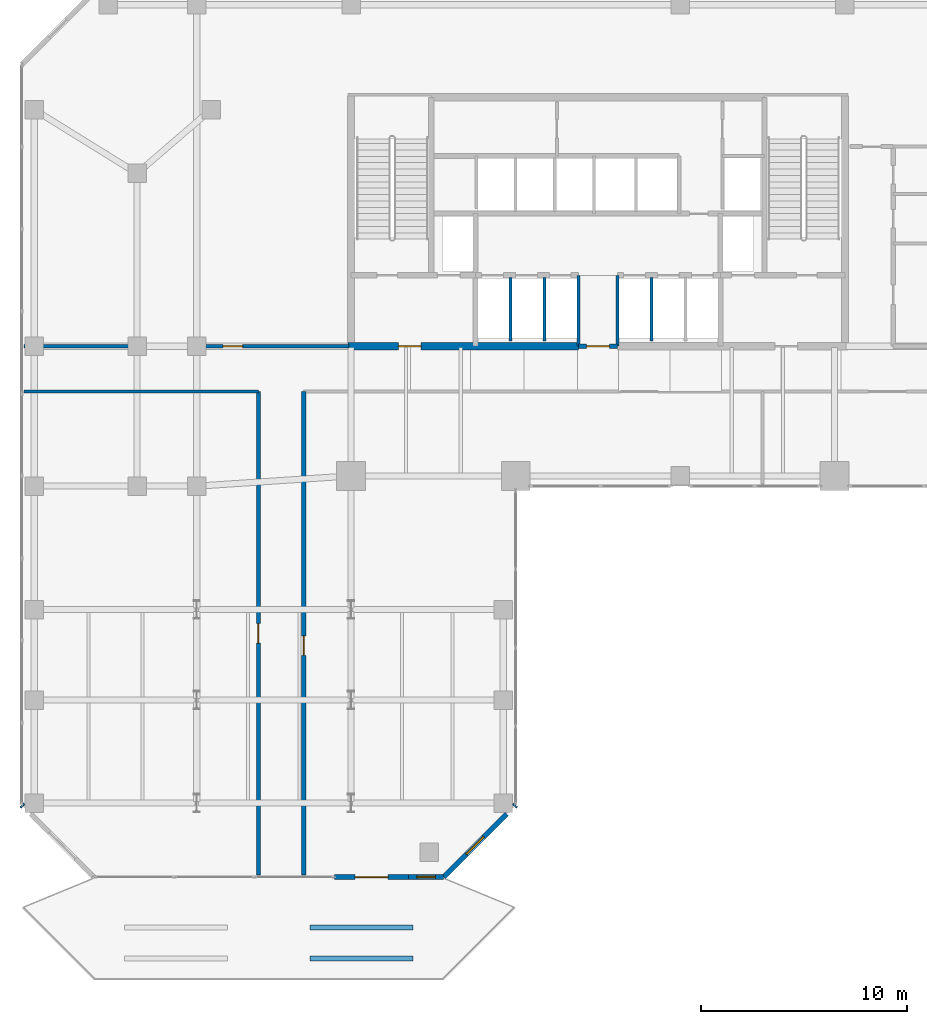
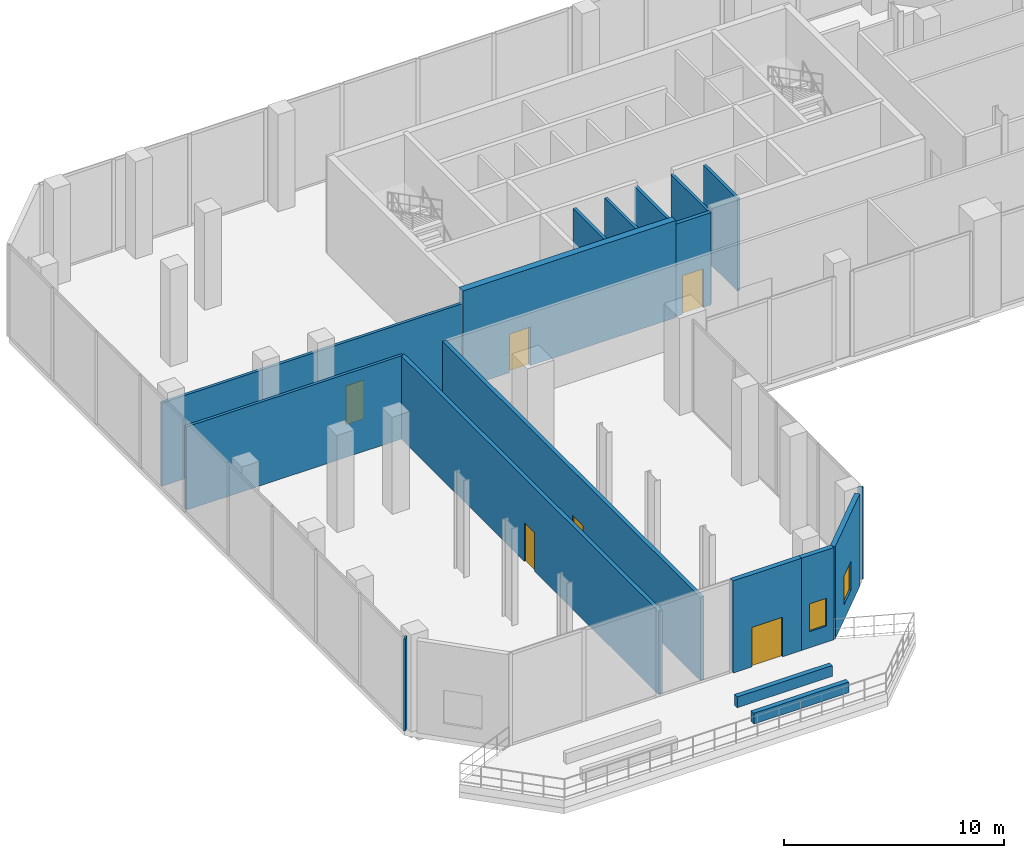
# One storey, part 20 of 24: 18 walls, 6 doors, 2 windows, 8 openings.
"""IFC4 building model written with IfcOpenShell, lengths in metres."""

from ifc_helpers import new_model, si_unit, direction, frame, frame_2d, origin, place, context, subcontext, project, spatial, rectangle, extrude, material, layer, layer_set, type_object, element, fill, save


model = new_model("IFC4")

# Units and contexts
model_context = context("Model", 3, precision=1e-05, world=origin(), true_north=direction((0.0, 1.0)))
body_context = subcontext(model_context, "Body", "Model", "MODEL_VIEW")
ifc_project = project(units=[si_unit("LENGTHUNIT", "METRE"), si_unit("AREAUNIT", "SQUARE_METRE"), si_unit("VOLUMEUNIT", "CUBIC_METRE"), si_unit("PLANEANGLEUNIT", "RADIAN"), si_unit("MASSUNIT", "GRAM", prefix="KILO")], contexts=[model_context])

# Site, building, storey
site_placement = place(None, origin())
site = spatial("IfcSite", under=ifc_project, at=site_placement, CompositionType="ELEMENT")
building_placement = place(site_placement, origin())
building = spatial("IfcBuilding", under=site, at=building_placement, Name="Catumbela Crestline Tower", CompositionType="ELEMENT")
storey_placement = place(building_placement, frame((0.0, 0.0, 84.6)))
storey = spatial("IfcBuildingStorey", under=building, at=storey_placement, Name="L21", CompositionType="ELEMENT", Elevation=84.6)

# Wall, opening, door
ifc_material_1 = material(Name="Concrete C50/60", Category="concrete")
ifc_layer_1 = layer(ifc_material_1, 0.35, Name="Concrete C50/60")
ifc_layer_set_1 = layer_set([ifc_layer_1], Name="Concrete C50/60")
wall_type_1 = type_object("IfcWallType", Name="CW-350B", PredefinedType="SHEAR", material=ifc_layer_set_1)
wall_1_placement = place(storey_placement, frame((15.85, 30.8, 0.0), z_axis=(0.0, 0.0, 1.0), x_axis=(1.0, 0.0, 0.0)))
wall_1 = element("IfcWall", 1, at=wall_1_placement, inside=storey, type_object=wall_type_1, Name="L21 Structural Core Shear Wall SW", PredefinedType="SHEAR", context=body_context, shape_type="SweptSolid", body=[
    extrude(rectangle(XDim=11.2, YDim=0.35, at=frame_2d((5.6, 0.0))), origin(), (0.0, 0.0, 1.0), 5.4),
])
opening_1_placement = place(wall_1_placement, frame((2.45, 0.0, 0.0)))
opening_1 = element("IfcOpeningElement", 2, at=opening_1_placement, cuts=wall_1, Name="Opening DF9-110", PredefinedType="OPENING", context=body_context, shape_type="SweptSolid", body=[
    extrude(rectangle(XDim=1.1, YDim=2.15, at=frame_2d((0.55, 1.075))), frame((0.0, 0.185, 0.0), z_axis=(0.0, -1.0, 0.0), x_axis=(1.0, 0.0, 0.0)), (0.0, 0.0, 1.0), 0.37),
])
ifc_material_2 = material(Name="Stainless steel EN 1.4401", Category="steel")
door_type_1 = type_object("IfcDoorType", Name="DF9-110", OperationType="NOTDEFINED", PredefinedType="DOOR", material=ifc_material_2)
door_1_placement = place(opening_1_placement, origin())
door_1 = element("IfcDoor", 3, at=door_1_placement, inside=storey, type_object=door_type_1, Name="L21 Interior Door DR-L21-FFW-S", OperationType="SINGLE_SWING_LEFT", OverallHeight=2.15, OverallWidth=1.1, PredefinedType="DOOR", context=body_context, shape_type="SweptSolid", body=[
    extrude(rectangle(XDim=1.1, YDim=2.15, at=frame_2d((0.55, 1.075))), frame((0.0, 0.025, 0.0), z_axis=(0.0, -1.0, 0.0), x_axis=(1.0, 0.0, 0.0)), (0.0, 0.0, 1.0), 0.05),
])
fill(opening_1, door_1)

ifc_material_3 = material(Name="Acoustic gypsum and mineral-wool partition")
ifc_layer_2 = layer(ifc_material_3, 0.2, Name="Acoustic gypsum and mineral-wool partition")
ifc_layer_set_2 = layer_set([ifc_layer_2], Name="Acoustic gypsum and mineral-wool partition")
wall_type_2 = type_object("IfcWallType", Name="WC-200", PredefinedType="PARTITIONING", material=ifc_layer_set_2)
wall_2_placement = place(storey_placement, frame((27.05, 30.8, 0.0), z_axis=(0.0, 0.0, 1.0), x_axis=(1.0, 0.0, 0.0)))
wall_2 = element("IfcWall", 4, at=wall_2_placement, inside=storey, type_object=wall_type_2, Name="L21 Interior Partition PW-L21-CLOBS", PredefinedType="PARTITIONING", context=body_context, shape_type="SweptSolid", body=[
    extrude(rectangle(XDim=1.9, YDim=0.2, at=frame_2d((0.95, 0.0))), origin(), (0.0, 0.0, 1.0), 5.13),
])
opening_2_placement = place(wall_2_placement, frame((0.4, 0.0, 0.0)))
opening_2 = element("IfcOpeningElement", 5, at=opening_2_placement, cuts=wall_2, Name="Opening DF9-110", PredefinedType="OPENING", context=body_context, shape_type="SweptSolid", body=[
    extrude(rectangle(XDim=1.1, YDim=2.15, at=frame_2d((0.55, 1.075))), frame((0.0, 0.11, 0.0), z_axis=(0.0, -1.0, 0.0), x_axis=(1.0, 0.0, 0.0)), (0.0, 0.0, 1.0), 0.22),
])
door_2_placement = place(opening_2_placement, origin())
door_2 = element("IfcDoor", 6, at=door_2_placement, inside=storey, type_object=door_type_1, Name="L21 Interior Door DR-L21-CLOBS", OperationType="SINGLE_SWING_LEFT", OverallHeight=2.15, OverallWidth=1.1, PredefinedType="DOOR", context=body_context, shape_type="SweptSolid", body=[
    extrude(rectangle(XDim=1.1, YDim=2.15, at=frame_2d((0.55, 1.075))), frame((0.0, 0.025, 0.0), z_axis=(0.0, -1.0, 0.0), x_axis=(1.0, 0.0, 0.0)), (0.0, 0.0, 1.0), 0.05),
])
fill(opening_2, door_2)

wall_3_placement = place(storey_placement, frame((11.5, 5.1, 0.0), z_axis=(0.0, 0.0, 1.0), x_axis=(0.0, 1.0, 0.0)))
wall_3 = element("IfcWall", 7, at=wall_3_placement, inside=storey, type_object=wall_type_2, Name="L21 Interior Partition PW-L21-SKCLB-ENT", PredefinedType="PARTITIONING", context=body_context, shape_type="SweptSolid", body=[
    extrude(rectangle(XDim=23.5, YDim=0.2, at=frame_2d((11.75, 0.0))), origin(), (0.0, 0.0, 1.0), 4.63),
])
opening_3_placement = place(wall_3_placement, frame((11.275, 0.0, 0.0)))
opening_3 = element("IfcOpeningElement", 8, at=opening_3_placement, cuts=wall_3, Name="Opening DF6-095", PredefinedType="OPENING", context=body_context, shape_type="SweptSolid", body=[
    extrude(rectangle(XDim=0.95, YDim=2.15, at=frame_2d((0.475, 1.075))), frame((0.0, 0.11, 0.0), z_axis=(0.0, -1.0, 0.0), x_axis=(1.0, 0.0, 0.0)), (0.0, 0.0, 1.0), 0.22),
])
ifc_material_4 = material(Name="Aluminium alloy AW-6060-T66", Category="aluminium")
door_type_2 = type_object("IfcDoorType", Name="DF6-095", OperationType="NOTDEFINED", PredefinedType="DOOR", material=ifc_material_4)
door_3_placement = place(opening_3_placement, origin())
door_3 = element("IfcDoor", 9, at=door_3_placement, inside=storey, type_object=door_type_2, Name="L21 Interior Door DR-L21-SKCLB-ENT", OperationType="SINGLE_SWING_RIGHT", OverallHeight=2.15, OverallWidth=0.95, PredefinedType="DOOR", context=body_context, shape_type="SweptSolid", body=[
    extrude(rectangle(XDim=0.95, YDim=2.15, at=frame_2d((0.475, 1.075))), frame((0.0, 0.025, 0.0), z_axis=(0.0, -1.0, 0.0), x_axis=(1.0, 0.0, 0.0)), (0.0, 0.0, 1.0), 0.05),
])
fill(opening_3, door_3)

wall_4_placement = place(storey_placement, frame((13.7, 5.1, 0.0), z_axis=(0.0, 0.0, 1.0), x_axis=(0.0, 1.0, 0.0)))
wall_4 = element("IfcWall", 10, at=wall_4_placement, inside=storey, type_object=wall_type_2, Name="L21 Interior Partition PW-L21-SKLIB-ENT", PredefinedType="PARTITIONING", context=body_context, shape_type="SweptSolid", body=[
    extrude(rectangle(XDim=23.5, YDim=0.2, at=frame_2d((11.75, 0.0))), origin(), (0.0, 0.0, 1.0), 4.63),
])
opening_4_placement = place(wall_4_placement, frame((10.6731, 0.0, 0.0)))
opening_4 = element("IfcOpeningElement", 11, at=opening_4_placement, cuts=wall_4, Name="Opening DF6-095", PredefinedType="OPENING", context=body_context, shape_type="SweptSolid", body=[
    extrude(rectangle(XDim=0.95, YDim=2.15, at=frame_2d((0.475, 1.075))), frame((0.0, 0.11, 0.0), z_axis=(0.0, -1.0, 0.0), x_axis=(1.0, 0.0, 0.0)), (0.0, 0.0, 1.0), 0.22),
])
door_4_placement = place(opening_4_placement, origin())
door_4 = element("IfcDoor", 12, at=door_4_placement, inside=storey, type_object=door_type_2, Name="L21 Interior Door DR-L21-SKLIB-ENT", OperationType="SINGLE_SWING_RIGHT", OverallHeight=2.15, OverallWidth=0.95, PredefinedType="DOOR", context=body_context, shape_type="SweptSolid", body=[
    extrude(rectangle(XDim=0.95, YDim=2.15, at=frame_2d((0.475, 1.075))), frame((0.0, 0.025, 0.0), z_axis=(0.0, -1.0, 0.0), x_axis=(1.0, 0.0, 0.0)), (0.0, 0.0, 1.0), 0.05),
])
fill(opening_4, door_4)

ifc_material_5 = material(Name="Angolan grey-ochre granite", Category="masonry")
ifc_layer_3 = layer(ifc_material_5, 0.25, Name="Angolan grey-ochre granite")
ifc_layer_set_3 = layer_set([ifc_layer_3], Name="Angolan grey-ochre granite")
wall_type_3 = type_object("IfcWallType", Name="WE-250", PredefinedType="STANDARD", material=ifc_layer_set_3)
wall_5_placement = place(storey_placement, frame((15.2, 5.0, 0.0), z_axis=(0.0, 0.0, 1.0), x_axis=(1.0, 0.0, 0.0)))
wall_5 = element("IfcWall", 13, at=wall_5_placement, inside=storey, type_object=wall_type_3, Name="L21 Exterior Threshold Portal Wall DR-L21-TER-S", PredefinedType="STANDARD", context=body_context, shape_type="SweptSolid", body=[
    extrude(rectangle(XDim=3.6, YDim=0.25, at=frame_2d((1.8, 0.0))), origin(), (0.0, 0.0, 1.0), 5.13),
])
opening_5_placement = place(wall_5_placement, frame((1.0, 0.0, 0.0)))
opening_5 = element("IfcOpeningElement", 14, at=opening_5_placement, cuts=wall_5, Name="Opening DT-03", PredefinedType="OPENING", context=body_context, shape_type="SweptSolid", body=[
    extrude(rectangle(XDim=1.6, YDim=2.2, at=frame_2d((0.8, 1.1))), frame((0.0, 0.135, 0.0), z_axis=(0.0, -1.0, 0.0), x_axis=(1.0, 0.0, 0.0)), (0.0, 0.0, 1.0), 0.27),
])
door_type_3 = type_object("IfcDoorType", Name="DT-1600", OperationType="NOTDEFINED", PredefinedType="DOOR", material=ifc_material_4)
door_5_placement = place(opening_5_placement, origin())
door_5 = element("IfcDoor", 15, at=door_5_placement, inside=storey, type_object=door_type_3, Name="L21 South Sky-Garden Terrace Door", OperationType="DOUBLE_DOOR_SINGLE_SWING", OverallHeight=2.2, OverallWidth=1.6, PredefinedType="DOOR", context=body_context, shape_type="SweptSolid", body=[
    extrude(rectangle(XDim=1.6, YDim=2.2, at=frame_2d((0.8, 1.1))), frame((0.0, 0.025, 0.0), z_axis=(0.0, -1.0, 0.0), x_axis=(1.0, 0.0, 0.0)), (0.0, 0.0, 1.0), 0.05),
])
fill(opening_5, door_5)

# Wall, opening, window
wall_6_placement = place(storey_placement, frame((18.8, 5.0, 0.0), z_axis=(0.0, 0.0, 1.0), x_axis=(1.0, 0.0, 0.0)))
wall_6 = element("IfcWall", 16, at=wall_6_placement, inside=storey, type_object=wall_type_3, Name="L21 Granite Punched Window Wall 0-2", PredefinedType="STANDARD", context=body_context, shape_type="SweptSolid", body=[
    extrude(rectangle(XDim=1.7, YDim=0.25, at=frame_2d((0.85, 0.0))), origin(), (0.0, 0.0, 1.0), 5.13),
])
opening_6_placement = place(wall_6_placement, frame((0.4, 0.0, 0.9)))
opening_6 = element("IfcOpeningElement", 17, at=opening_6_placement, cuts=wall_6, Name="Opening WN-03", PredefinedType="OPENING", context=body_context, shape_type="SweptSolid", body=[
    extrude(rectangle(XDim=0.9, YDim=1.55, at=frame_2d((0.45, 0.775))), frame((0.0, 0.135, 0.0), z_axis=(0.0, -1.0, 0.0), x_axis=(1.0, 0.0, 0.0)), (0.0, 0.0, 1.0), 0.27),
])
ifc_material_6 = material(Name="Low-E laminated solar-control double glazing", Category="glass")
window_type_1 = type_object("IfcWindowType", Name="WO-0900", PartitioningType="SINGLE_PANEL", PredefinedType="WINDOW", material=ifc_material_6)
window_1_placement = place(opening_6_placement, origin())
window_1 = element("IfcWindow", 18, at=window_1_placement, inside=storey, type_object=window_type_1, Name="L21 Facade Vision Window 123", OverallHeight=1.55, OverallWidth=0.9, PartitioningType="SINGLE_PANEL", PredefinedType="WINDOW", context=body_context, shape_type="SweptSolid", body=[
    extrude(rectangle(XDim=0.9, YDim=1.55, at=frame_2d((0.45, 0.775))), frame((0.0, 0.03, 0.0), z_axis=(0.0, -1.0, 0.0), x_axis=(1.0, 0.0, 0.0)), (0.0, 0.0, 1.0), 0.06),
])
fill(opening_6, window_1)

wall_7_placement = place(storey_placement, frame((20.5, 5.0, 0.0), z_axis=(0.0, 0.0, 1.0), x_axis=(0.707106781187, 0.707106781187, 0.0)))
wall_7 = element("IfcWall", 19, at=wall_7_placement, inside=storey, type_object=wall_type_3, Name="L21 Granite Punched Window Wall 1-1", PredefinedType="STANDARD", context=body_context, shape_type="SweptSolid", body=[
    extrude(rectangle(XDim=4.3298, YDim=0.25, at=frame_2d((2.1649, 0.0))), origin(), (0.0, 0.0, 1.0), 5.13),
])
opening_7_placement = place(wall_7_placement, frame((1.5649, 0.0, 0.85)))
opening_7 = element("IfcOpeningElement", 20, at=opening_7_placement, cuts=wall_7, Name="Opening WN-02", PredefinedType="OPENING", context=body_context, shape_type="SweptSolid", body=[
    extrude(rectangle(XDim=1.2, YDim=1.6, at=frame_2d((0.6, 0.8))), frame((0.0, 0.135, 0.0), z_axis=(0.0, -1.0, 0.0), x_axis=(1.0, 0.0, 0.0)), (0.0, 0.0, 1.0), 0.27),
])
window_type_2 = type_object("IfcWindowType", Name="WO-1200", PartitioningType="SINGLE_PANEL", PredefinedType="WINDOW", material=ifc_material_6)
window_2_placement = place(opening_7_placement, origin())
window_2 = element("IfcWindow", 21, at=window_2_placement, inside=storey, type_object=window_type_2, Name="L21 Facade Vision Window 124", OverallHeight=1.6, OverallWidth=1.2, PartitioningType="SINGLE_PANEL", PredefinedType="WINDOW", context=body_context, shape_type="SweptSolid", body=[
    extrude(rectangle(XDim=1.2, YDim=1.6, at=frame_2d((0.6, 0.8))), frame((0.0, 0.03, 0.0), z_axis=(0.0, -1.0, 0.0), x_axis=(1.0, 0.0, 0.0)), (0.0, 0.0, 1.0), 0.06),
])
fill(opening_7, window_2)

# Walls
for number, where, z_axis, x_axis, name in (
    (22, (23.9384, 8.4384, 0.0), (0.0, 0.0, 1.0), (0.707106781187, 0.707106781187, 0.0), "L21 Granite Punched Window Wall 1-2"),
    (23, (0.0, 8.5, 0.0), (0.0, 0.0, 1.0), (0.707106781187, -0.707106781187, 0.0), "L21 Granite Punched Window Wall 10-1"),
):
    element("IfcWall", number, at=place(storey_placement, frame(where, z_axis=z_axis, x_axis=x_axis)), inside=storey, type_object=wall_type_3, Name=name, PredefinedType="STANDARD", context=body_context, shape_type="SweptSolid", body=[
        extrude(rectangle(XDim=0.0871, YDim=0.25, at=frame_2d((0.0436, 0.0))), origin(), (0.0, 0.0, 1.0), 5.13),
    ])

# Wall, opening, door
ifc_layer_4 = layer(ifc_material_3, 0.15, Name="Acoustic gypsum and mineral-wool partition")
ifc_layer_set_4 = layer_set([ifc_layer_4], Name="Acoustic gypsum and mineral-wool partition")
wall_type_4 = type_object("IfcWallType", Name="WP-150", PredefinedType="PARTITIONING", material=ifc_layer_set_4)
wall_8_placement = place(storey_placement, frame((0.1, 30.8, 0.0), z_axis=(0.0, 0.0, 1.0), x_axis=(1.0, 0.0, 0.0)))
wall_8 = element("IfcWall", 24, at=wall_8_placement, inside=storey, type_object=wall_type_4, Name="L21 Interior Partition PW-L21-SKNWL", PredefinedType="PARTITIONING", context=body_context, shape_type="SweptSolid", body=[
    extrude(rectangle(XDim=15.8, YDim=0.15, at=frame_2d((7.9, 0.0))), origin(), (0.0, 0.0, 1.0), 4.63),
])
opening_8_placement = place(wall_8_placement, frame((9.686, 0.0, 0.0)))
opening_8 = element("IfcOpeningElement", 25, at=opening_8_placement, cuts=wall_8, Name="Opening DF6-095", PredefinedType="OPENING", context=body_context, shape_type="SweptSolid", body=[
    extrude(rectangle(XDim=0.95, YDim=2.15, at=frame_2d((0.475, 1.075))), frame((0.0, 0.085, 0.0), z_axis=(0.0, -1.0, 0.0), x_axis=(1.0, 0.0, 0.0)), (0.0, 0.0, 1.0), 0.17),
])
door_6_placement = place(opening_8_placement, origin())
door_6 = element("IfcDoor", 26, at=door_6_placement, inside=storey, type_object=door_type_2, Name="L21 Interior Door DR-L21-SKNWL", OperationType="SINGLE_SWING_RIGHT", OverallHeight=2.15, OverallWidth=0.95, PredefinedType="DOOR", context=body_context, shape_type="SweptSolid", body=[
    extrude(rectangle(XDim=0.95, YDim=2.15, at=frame_2d((0.475, 1.075))), frame((0.0, 0.025, 0.0), z_axis=(0.0, -1.0, 0.0), x_axis=(1.0, 0.0, 0.0)), (0.0, 0.0, 1.0), 0.05),
])
fill(opening_8, door_6)

# Walls
wall_9_placement = place(storey_placement, frame((0.1, 28.6, 0.0), z_axis=(0.0, 0.0, 1.0), x_axis=(1.0, 0.0, 0.0)))
element("IfcWall", 27, at=wall_9_placement, inside=storey, type_object=wall_type_4, Name="L21 Interior Partition PW-L21-WN1", PredefinedType="PARTITIONING", context=body_context, shape_type="SweptSolid", body=[
    extrude(rectangle(XDim=11.4, YDim=0.15, at=frame_2d((5.7, 0.0))), origin(), (0.0, 0.0, 1.0), 4.63),
])
ifc_material_7 = material(Name="Concrete C40/50", Category="concrete")
ifc_layer_5 = layer(ifc_material_7, 0.25, Name="Concrete C40/50")
ifc_layer_set_5 = layer_set([ifc_layer_5], Name="Concrete C40/50")
wall_type_5 = type_object("IfcWallType", Name="WPL-250", PredefinedType="USERDEFINED", material=ifc_layer_set_5)
for number, where, z_axis, x_axis, name in (
    (28, (14.0, 1.05, -0.02), (0.0, 0.0, 1.0), (1.0, 0.0, 0.0), "L21 Planted Sky-Garden GRC Planter Kerb 11"),
    (29, (14.0, 2.55, -0.02), (0.0, 0.0, 1.0), (1.0, 0.0, 0.0), "L21 Planted Sky-Garden GRC Planter Kerb 12"),
):
    element("IfcWall", number, at=place(storey_placement, frame(where, z_axis=z_axis, x_axis=x_axis)), inside=storey, type_object=wall_type_5, Name=name, ObjectType="PLANTER", PredefinedType="USERDEFINED", context=body_context, shape_type="SweptSolid", body=[
        extrude(rectangle(XDim=5.0, YDim=0.25, at=frame_2d((2.5, 0.0))), origin(), (0.0, 0.0, 1.0), 0.6),
    ])
ifc_layer_6 = layer(ifc_material_3, 0.15, Name="Acoustic gypsum and mineral-wool partition")
ifc_layer_set_6 = layer_set([ifc_layer_6], Name="Acoustic gypsum and mineral-wool partition")
wall_type_6 = type_object("IfcWallType", Name="WS-150", PredefinedType="PLUMBINGWALL", material=ifc_layer_set_6)
for number, where, z_axis, x_axis, name in (
    (30, (27.05, 30.8, 0.0), (0.0, 0.0, 1.0), (0.0, 1.0, 0.0), "L21 Interior Partition PW-L21-THRW"),
    (31, (28.95, 30.8, 0.0), (0.0, 0.0, 1.0), (0.0, 1.0, 0.0), "L21 Interior Partition PW-L21-THRE"),
):
    element("IfcWall", number, at=place(storey_placement, frame(where, z_axis=z_axis, x_axis=x_axis)), inside=storey, type_object=wall_type_6, Name=name, PredefinedType="PLUMBINGWALL", context=body_context, shape_type="SweptSolid", body=[
        extrude(rectangle(XDim=3.45, YDim=0.15, at=frame_2d((1.725, 0.0))), origin(), (0.0, 0.0, 1.0), 5.13),
    ])
for number, where, z_axis, x_axis, name in (
    (32, (23.75, 31.05, 0.0), (0.0, 0.0, 1.0), (0.0, 1.0, 0.0), "L21 Interior Partition PW-L21-SHL1"),
    (33, (25.4, 31.05, 0.0), (0.0, 0.0, 1.0), (0.0, 1.0, 0.0), "L21 Interior Partition PW-L21-SHL2"),
    (34, (30.6, 31.05, 0.0), (0.0, 0.0, 1.0), (0.0, 1.0, 0.0), "L21 Interior Partition PW-L21-SHM1"),
):
    element("IfcWall", number, at=place(storey_placement, frame(where, z_axis=z_axis, x_axis=x_axis)), inside=storey, type_object=wall_type_6, Name=name, PredefinedType="PLUMBINGWALL", context=body_context, shape_type="SweptSolid", body=[
        extrude(rectangle(XDim=3.1, YDim=0.15, at=frame_2d((1.55, 0.0))), origin(), (0.0, 0.0, 1.0), 5.13),
    ])

save(model, "model.ifc")
